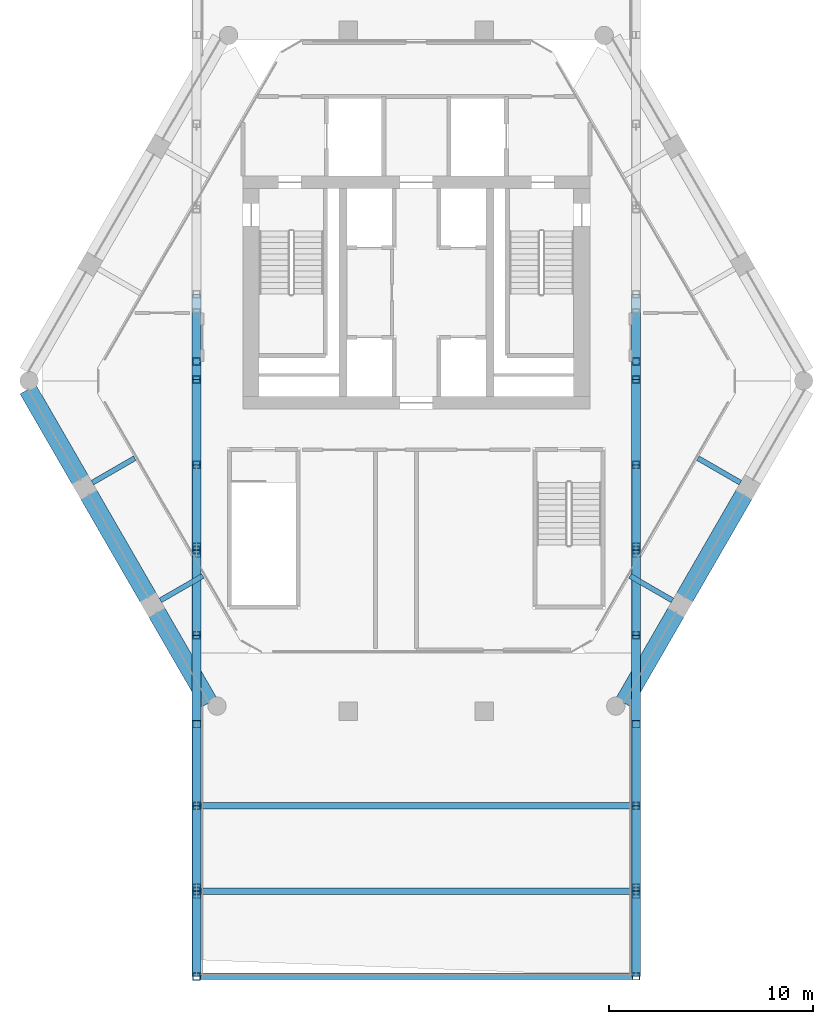
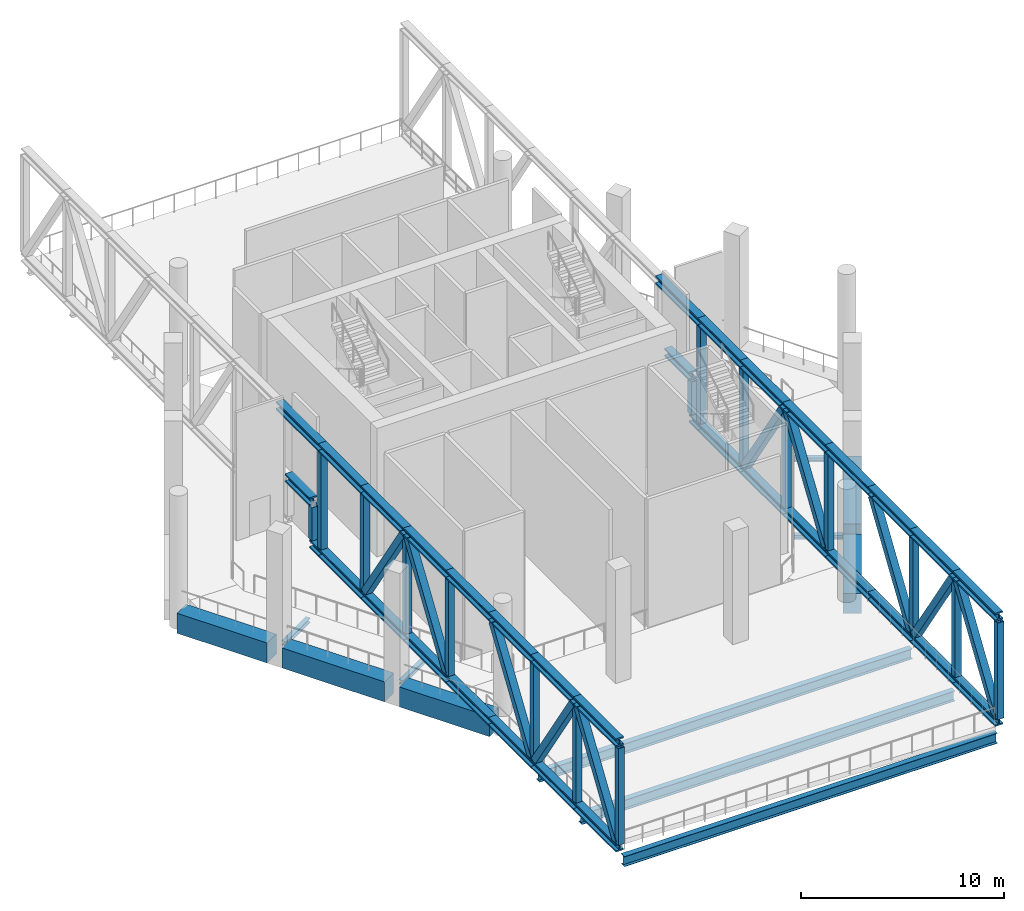
# One storey, part 2 of 14: 60 members, 12 beams.
"""IFC4 building model written with IfcOpenShell, lengths in metres."""

from ifc_helpers import new_model, si_unit, direction, frame, origin, origin_2d, place, context, subcontext, project, spatial, rectangle, hollow_rectangle, i_section, extrude, material, material_profile, profile_set, type_object, element, save


model = new_model("IFC4")

# Units and contexts
model_context = context("Model", 3, precision=1e-05, world=origin(), true_north=direction((0.0, 1.0)))
body_context = subcontext(model_context, "Body", "Model", "MODEL_VIEW")
ifc_project = project(units=[si_unit("LENGTHUNIT", "METRE"), si_unit("AREAUNIT", "SQUARE_METRE"), si_unit("VOLUMEUNIT", "CUBIC_METRE"), si_unit("PLANEANGLEUNIT", "RADIAN"), si_unit("MASSUNIT", "GRAM", prefix="KILO")], contexts=[model_context])

# Site, building, storey
site_placement = place(None, origin())
site = spatial("IfcSite", under=ifc_project, at=site_placement, CompositionType="ELEMENT")
building_placement = place(site_placement, origin())
building = spatial("IfcBuilding", under=site, at=building_placement, Name="Ostrander Bayou Hotel Tower", CompositionType="ELEMENT")
storey_placement = place(building_placement, frame((0.0, 0.0, 237.0)))
storey = spatial("IfcBuildingStorey", under=building, at=storey_placement, Name="L59", CompositionType="ELEMENT", Elevation=237.0)

# Beams
ifc_material_1 = material(Name="Steel ASTM A992", Category="steel")
ifc_material_profile_1 = material_profile(ifc_material_1, i_section(OverallWidth=0.25390625, OverallDepth=0.25341796875, WebThickness=0.008544921875, FlangeThickness=0.01416015625, at=origin_2d()))
ifc_profile_set_1 = profile_set([ifc_material_profile_1], Name="Steel ASTM A992")
beam_type_1 = type_object("IfcBeamType", Name="LB2 loggia bracket W10x49", PredefinedType="BEAM", material=ifc_profile_set_1)
for number, where, z_axis, x_axis, name in (
    (1, (-15.867431640625, -5.316650390625, -0.4267578125), (0.866024647952, 0.500001309137, 0.0), (-0.500001309137, 0.866024647952, 0.0), "LB2 L59 SW1"),
    (2, (-12.5380859375, -11.083251953125, -0.4267578125), (0.866024647952, 0.500001309137, 0.0), (-0.500001309137, 0.866024647952, 0.0), "LB2 L59 SW2"),
    (3, (12.5380859375, -11.083251953125, -0.4267578125), (-0.866024647952, 0.500001309137, 0.0), (-0.500001309137, -0.866024647952, 0.0), "LB2 L59 SE1"),
    (4, (15.867431640625, -5.316650390625, -0.4267578125), (-0.866024647952, 0.500001309137, 0.0), (-0.500001309137, -0.866024647952, 0.0), "LB2 L59 SE2"),
):
    element("IfcBeam", number, at=place(storey_placement, frame(where, z_axis=z_axis, x_axis=x_axis)), inside=storey, type_object=beam_type_1, Name=name, PredefinedType="BEAM", context=body_context, shape_type="SweptSolid", body=[
        extrude(i_section(OverallWidth=0.25390625, OverallDepth=0.25341796875, WebThickness=0.008544921875, FlangeThickness=0.01416015625, at=origin_2d()), origin(), (0.0, 0.0, 1.0), 2.39990234375),
    ])
ifc_material_2 = material(Name="Concrete f'c 60 MPa", Category="concrete")
ifc_material_profile_2 = material_profile(ifc_material_2, rectangle(XDim=0.89990234375, YDim=1.199951171875, at=origin_2d()))
ifc_profile_set_2 = profile_set([ifc_material_profile_2], Name="Concrete f'c 60 MPa")
beam_type_2 = type_object("IfcBeamType", Name="SP4 spandrel beam 900 x 1200 mm f'c 60 MPa", PredefinedType="SPANDREL", material=ifc_profile_set_2)
beam_1_placement = place(storey_placement, frame((-19.024169921875, -0.749267578125, -0.60009765625), z_axis=(0.499995206172, -0.866028171485, 0.0), x_axis=(0.866028171485, 0.499995206172, 0.0)))
element("IfcBeam", 5, at=beam_1_placement, inside=storey, type_object=beam_type_2, Name="SP4 L59 SW-1", PredefinedType="SPANDREL", context=body_context, shape_type="SweptSolid", body=[
    extrude(rectangle(XDim=0.89990234375, YDim=1.199951171875, at=origin_2d()), origin(), (0.0, 0.0, 1.0), 5.11376953125),
])
beam_2_placement = place(storey_placement, frame((-16.047119140625, -5.905517578125, -0.60009765625), z_axis=(0.500015433515, -0.866016493057, 0.0), x_axis=(0.866016493057, 0.500015433515, 0.0)))
element("IfcBeam", 6, at=beam_2_placement, inside=storey, type_object=beam_type_2, Name="SP4 L59 SW-2", PredefinedType="SPANDREL", context=body_context, shape_type="SweptSolid", body=[
    extrude(rectangle(XDim=0.89990234375, YDim=1.199951171875, at=origin_2d()), origin(), (0.0, 0.0, 1.0), 5.818603515625),
])
for number, where, z_axis, x_axis, name in (
    (7, (-12.7177734375, -11.672119140625, -0.60009765625), (0.500015879365, -0.866016235635, 0.0), (0.866016235635, 0.500015879365, 0.0), "SP4 L59 SW-3"),
    (8, (10.160888671875, -16.1005859375, -0.60009765625), (0.500015879365, 0.866016235635, 0.0), (-0.866016235635, 0.500015879365, 0.0), "SP4 L59 SE-1"),
):
    element("IfcBeam", number, at=place(storey_placement, frame(where, z_axis=z_axis, x_axis=x_axis)), inside=storey, type_object=beam_type_2, Name=name, PredefinedType="SPANDREL", context=body_context, shape_type="SweptSolid", body=[
        extrude(rectangle(XDim=0.89990234375, YDim=1.199951171875, at=origin_2d()), origin(), (0.0, 0.0, 1.0), 5.113525390625),
    ])
beam_3_placement = place(storey_placement, frame((13.1376953125, -10.944580078125, -0.60009765625), z_axis=(0.500015433515, 0.866016493057, 0.0), x_axis=(-0.866016493057, 0.500015433515, 0.0)))
element("IfcBeam", 9, at=beam_3_placement, inside=storey, type_object=beam_type_2, Name="SP4 L59 SE-2", PredefinedType="SPANDREL", context=body_context, shape_type="SweptSolid", body=[
    extrude(rectangle(XDim=0.89990234375, YDim=1.199951171875, at=origin_2d()), origin(), (0.0, 0.0, 1.0), 5.818603515625),
])
ifc_material_3 = material(Name="Steel ASTM A992", Category="steel")
ifc_material_profile_3 = material_profile(ifc_material_3, i_section(OverallWidth=0.32373046875, OverallDepth=0.611083984375, WebThickness=0.0126953125, FlangeThickness=0.01904296875, at=origin_2d()))
ifc_profile_set_3 = profile_set([ifc_material_profile_3], Name="Steel ASTM A992")
beam_type_3 = type_object("IfcBeamType", Name="TF2 bar floor beam W24x104", PredefinedType="BEAM", material=ifc_profile_set_3)
for number, where, z_axis, x_axis, name in (
    (10, (-10.587158203125, -21.147705078125, -0.605712890625), (1.0, 0.0, 0.0), (0.0, 1.0, 0.0), "TF2 SB5S L5-1"),
    (11, (-10.587158203125, -25.32373046875, -0.605712890625), (1.0, 0.0, 0.0), (0.0, 1.0, 0.0), "TF2 SB5S L5-2"),
    (12, (-10.587158203125, -29.5, -0.605712890625), (1.0, 0.0, 0.0), (0.0, 1.0, 0.0), "TF2 SB5S L5-3"),
):
    element("IfcBeam", number, at=place(storey_placement, frame(where, z_axis=z_axis, x_axis=x_axis)), inside=storey, type_object=beam_type_3, Name=name, PredefinedType="BEAM", context=body_context, shape_type="SweptSolid", body=[
        extrude(i_section(OverallWidth=0.32373046875, OverallDepth=0.611083984375, WebThickness=0.0126953125, FlangeThickness=0.01904296875, at=origin_2d()), origin(), (0.0, 0.0, 1.0), 21.17431640625),
    ])

# Members
ifc_material_4 = material(Name="Steel ASTM A992", Category="steel")
ifc_material_profile_4 = material_profile(ifc_material_4, i_section(OverallWidth=0.43212890625, OverallDepth=0.497802734375, WebThickness=0.0556640625, FlangeThickness=0.0888671875, at=origin_2d()))
ifc_profile_set_4 = profile_set([ifc_material_profile_4], Name="Steel ASTM A992")
member_type_1 = type_object("IfcMemberType", Name="TT1 through-truss chord W14x500", PredefinedType="CHORD", material=ifc_profile_set_4)
member_1_placement = place(storey_placement, frame((-10.764892578125, 3.021484375, 2.748779296875), z_axis=(0.0, -1.0, 0.0), x_axis=(1.0, 0.0, 0.0)))
element("IfcMember", 13, at=member_1_placement, inside=storey, type_object=member_type_1, Name="TT1 SB5A B7 (over the passage)", PredefinedType="CHORD", context=body_context, shape_type="SweptSolid", body=[
    extrude(i_section(OverallWidth=0.43212890625, OverallDepth=0.497802734375, WebThickness=0.0556640625, FlangeThickness=0.0888671875, at=origin_2d()), origin(), (0.0, 0.0, 1.0), 2.400146484375),
])
member_2_placement = place(storey_placement, frame((-10.764892578125, 0.621337890625, 0.248779296875), z_axis=(0.0, -1.0, 0.0), x_axis=(1.0, 0.0, 0.0)))
element("IfcMember", 14, at=member_2_placement, inside=storey, type_object=member_type_1, Name="TT1 SB5A B7", PredefinedType="CHORD", context=body_context, shape_type="SweptSolid", body=[
    extrude(i_section(OverallWidth=0.43212890625, OverallDepth=0.497802734375, WebThickness=0.0556640625, FlangeThickness=0.0888671875, at=origin_2d()), origin(), (0.0, 0.0, 1.0), 0.887939453125),
])
member_3_placement = place(storey_placement, frame((-10.764892578125, 3.909423828125, 6.551025390625), z_axis=(0.0, -1.0, 0.0), x_axis=(1.0, 0.0, 0.0)))
element("IfcMember", 15, at=member_3_placement, inside=storey, type_object=member_type_1, Name="TT1 SB5A T7", PredefinedType="CHORD", context=body_context, shape_type="SweptSolid", body=[
    extrude(i_section(OverallWidth=0.43212890625, OverallDepth=0.497802734375, WebThickness=0.0556640625, FlangeThickness=0.0888671875, at=origin_2d()), origin(), (0.0, 0.0, 1.0), 4.176025390625),
])
for number, where, z_axis, x_axis, name in (
    (16, (-10.764892578125, -0.2666015625, 0.248779296875), (0.0, -1.0, 0.0), (1.0, 0.0, 0.0), "TT1 SB5A B8"),
    (17, (-10.764892578125, -0.2666015625, 6.551025390625), (0.0, -1.0, 0.0), (1.0, 0.0, 0.0), "TT1 SB5A T8"),
    (18, (-10.764892578125, -4.44287109375, 0.248779296875), (0.0, -1.0, 0.0), (1.0, 0.0, 0.0), "TT1 SB5A B9"),
    (19, (-10.764892578125, -4.44287109375, 6.551025390625), (0.0, -1.0, 0.0), (1.0, 0.0, 0.0), "TT1 SB5A T9"),
    (20, (-10.764892578125, -8.619140625, 0.248779296875), (0.0, -1.0, 0.0), (1.0, 0.0, 0.0), "TT1 SB5A B10"),
    (21, (-10.764892578125, -8.619140625, 6.551025390625), (0.0, -1.0, 0.0), (1.0, 0.0, 0.0), "TT1 SB5A T10"),
):
    element("IfcMember", number, at=place(storey_placement, frame(where, z_axis=z_axis, x_axis=x_axis)), inside=storey, type_object=member_type_1, Name=name, PredefinedType="CHORD", context=body_context, shape_type="SweptSolid", body=[
        extrude(i_section(OverallWidth=0.43212890625, OverallDepth=0.497802734375, WebThickness=0.0556640625, FlangeThickness=0.0888671875, at=origin_2d()), origin(), (0.0, 0.0, 1.0), 4.17626953125),
    ])
for number, where, z_axis, x_axis, name in (
    (22, (-10.764892578125, -12.79541015625, 0.248779296875), (0.0, -1.0, 0.0), (1.0, 0.0, 0.0), "TT1 SB5A B11"),
    (23, (-10.764892578125, -12.79541015625, 6.551025390625), (0.0, -1.0, 0.0), (1.0, 0.0, 0.0), "TT1 SB5A T11"),
):
    element("IfcMember", number, at=place(storey_placement, frame(where, z_axis=z_axis, x_axis=x_axis)), inside=storey, type_object=member_type_1, Name=name, PredefinedType="CHORD", context=body_context, shape_type="SweptSolid", body=[
        extrude(i_section(OverallWidth=0.43212890625, OverallDepth=0.497802734375, WebThickness=0.0556640625, FlangeThickness=0.0888671875, at=origin_2d()), origin(), (0.0, 0.0, 1.0), 4.176025390625),
    ])
for number, where, z_axis, x_axis, name in (
    (24, (-10.764892578125, -16.971435546875, 0.248779296875), (0.0, -1.0, 0.0), (1.0, 0.0, 0.0), "TT1 SB5A B12"),
    (25, (-10.764892578125, -16.971435546875, 6.551025390625), (0.0, -1.0, 0.0), (1.0, 0.0, 0.0), "TT1 SB5A T12"),
):
    element("IfcMember", number, at=place(storey_placement, frame(where, z_axis=z_axis, x_axis=x_axis)), inside=storey, type_object=member_type_1, Name=name, PredefinedType="CHORD", context=body_context, shape_type="SweptSolid", body=[
        extrude(i_section(OverallWidth=0.43212890625, OverallDepth=0.497802734375, WebThickness=0.0556640625, FlangeThickness=0.0888671875, at=origin_2d()), origin(), (0.0, 0.0, 1.0), 4.17626953125),
    ])
for number, where, z_axis, x_axis, name in (
    (26, (-10.764892578125, -21.147705078125, 0.248779296875), (0.0, -1.0, 0.0), (1.0, 0.0, 0.0), "TT1 SB5A B13"),
    (27, (-10.764892578125, -21.147705078125, 6.551025390625), (0.0, -1.0, 0.0), (1.0, 0.0, 0.0), "TT1 SB5A T13"),
):
    element("IfcMember", number, at=place(storey_placement, frame(where, z_axis=z_axis, x_axis=x_axis)), inside=storey, type_object=member_type_1, Name=name, PredefinedType="CHORD", context=body_context, shape_type="SweptSolid", body=[
        extrude(i_section(OverallWidth=0.43212890625, OverallDepth=0.497802734375, WebThickness=0.0556640625, FlangeThickness=0.0888671875, at=origin_2d()), origin(), (0.0, 0.0, 1.0), 4.176025390625),
    ])
for number, where, z_axis, x_axis, name in (
    (28, (-10.764892578125, -25.32373046875, 0.248779296875), (0.0, -1.0, 0.0), (1.0, 0.0, 0.0), "TT1 SB5A B14"),
    (29, (-10.764892578125, -25.32373046875, 6.551025390625), (0.0, -1.0, 0.0), (1.0, 0.0, 0.0), "TT1 SB5A T14"),
):
    element("IfcMember", number, at=place(storey_placement, frame(where, z_axis=z_axis, x_axis=x_axis)), inside=storey, type_object=member_type_1, Name=name, PredefinedType="CHORD", context=body_context, shape_type="SweptSolid", body=[
        extrude(i_section(OverallWidth=0.43212890625, OverallDepth=0.497802734375, WebThickness=0.0556640625, FlangeThickness=0.0888671875, at=origin_2d()), origin(), (0.0, 0.0, 1.0), 4.17626953125),
    ])
member_4_placement = place(storey_placement, frame((10.764892578125, 3.021484375, 2.748779296875), z_axis=(0.0, -1.0, 0.0), x_axis=(1.0, 0.0, 0.0)))
element("IfcMember", 30, at=member_4_placement, inside=storey, type_object=member_type_1, Name="TT1 SB5B B7 (over the passage)", PredefinedType="CHORD", context=body_context, shape_type="SweptSolid", body=[
    extrude(i_section(OverallWidth=0.43212890625, OverallDepth=0.497802734375, WebThickness=0.0556640625, FlangeThickness=0.0888671875, at=origin_2d()), origin(), (0.0, 0.0, 1.0), 2.400146484375),
])
member_5_placement = place(storey_placement, frame((10.764892578125, 0.621337890625, 0.248779296875), z_axis=(0.0, -1.0, 0.0), x_axis=(1.0, 0.0, 0.0)))
element("IfcMember", 31, at=member_5_placement, inside=storey, type_object=member_type_1, Name="TT1 SB5B B7", PredefinedType="CHORD", context=body_context, shape_type="SweptSolid", body=[
    extrude(i_section(OverallWidth=0.43212890625, OverallDepth=0.497802734375, WebThickness=0.0556640625, FlangeThickness=0.0888671875, at=origin_2d()), origin(), (0.0, 0.0, 1.0), 0.887939453125),
])
member_6_placement = place(storey_placement, frame((10.764892578125, 3.909423828125, 6.551025390625), z_axis=(0.0, -1.0, 0.0), x_axis=(1.0, 0.0, 0.0)))
element("IfcMember", 32, at=member_6_placement, inside=storey, type_object=member_type_1, Name="TT1 SB5B T7", PredefinedType="CHORD", context=body_context, shape_type="SweptSolid", body=[
    extrude(i_section(OverallWidth=0.43212890625, OverallDepth=0.497802734375, WebThickness=0.0556640625, FlangeThickness=0.0888671875, at=origin_2d()), origin(), (0.0, 0.0, 1.0), 4.176025390625),
])
for number, where, z_axis, x_axis, name in (
    (33, (10.764892578125, -0.2666015625, 0.248779296875), (0.0, -1.0, 0.0), (1.0, 0.0, 0.0), "TT1 SB5B B8"),
    (34, (10.764892578125, -0.2666015625, 6.551025390625), (0.0, -1.0, 0.0), (1.0, 0.0, 0.0), "TT1 SB5B T8"),
    (35, (10.764892578125, -4.44287109375, 0.248779296875), (0.0, -1.0, 0.0), (1.0, 0.0, 0.0), "TT1 SB5B B9"),
    (36, (10.764892578125, -4.44287109375, 6.551025390625), (0.0, -1.0, 0.0), (1.0, 0.0, 0.0), "TT1 SB5B T9"),
    (37, (10.764892578125, -8.619140625, 0.248779296875), (0.0, -1.0, 0.0), (1.0, 0.0, 0.0), "TT1 SB5B B10"),
    (38, (10.764892578125, -8.619140625, 6.551025390625), (0.0, -1.0, 0.0), (1.0, 0.0, 0.0), "TT1 SB5B T10"),
):
    element("IfcMember", number, at=place(storey_placement, frame(where, z_axis=z_axis, x_axis=x_axis)), inside=storey, type_object=member_type_1, Name=name, PredefinedType="CHORD", context=body_context, shape_type="SweptSolid", body=[
        extrude(i_section(OverallWidth=0.43212890625, OverallDepth=0.497802734375, WebThickness=0.0556640625, FlangeThickness=0.0888671875, at=origin_2d()), origin(), (0.0, 0.0, 1.0), 4.17626953125),
    ])
for number, where, z_axis, x_axis, name in (
    (39, (10.764892578125, -12.79541015625, 0.248779296875), (0.0, -1.0, 0.0), (1.0, 0.0, 0.0), "TT1 SB5B B11"),
    (40, (10.764892578125, -12.79541015625, 6.551025390625), (0.0, -1.0, 0.0), (1.0, 0.0, 0.0), "TT1 SB5B T11"),
):
    element("IfcMember", number, at=place(storey_placement, frame(where, z_axis=z_axis, x_axis=x_axis)), inside=storey, type_object=member_type_1, Name=name, PredefinedType="CHORD", context=body_context, shape_type="SweptSolid", body=[
        extrude(i_section(OverallWidth=0.43212890625, OverallDepth=0.497802734375, WebThickness=0.0556640625, FlangeThickness=0.0888671875, at=origin_2d()), origin(), (0.0, 0.0, 1.0), 4.176025390625),
    ])
for number, where, z_axis, x_axis, name in (
    (41, (10.764892578125, -16.971435546875, 0.248779296875), (0.0, -1.0, 0.0), (1.0, 0.0, 0.0), "TT1 SB5B B12"),
    (42, (10.764892578125, -16.971435546875, 6.551025390625), (0.0, -1.0, 0.0), (1.0, 0.0, 0.0), "TT1 SB5B T12"),
):
    element("IfcMember", number, at=place(storey_placement, frame(where, z_axis=z_axis, x_axis=x_axis)), inside=storey, type_object=member_type_1, Name=name, PredefinedType="CHORD", context=body_context, shape_type="SweptSolid", body=[
        extrude(i_section(OverallWidth=0.43212890625, OverallDepth=0.497802734375, WebThickness=0.0556640625, FlangeThickness=0.0888671875, at=origin_2d()), origin(), (0.0, 0.0, 1.0), 4.17626953125),
    ])
for number, where, z_axis, x_axis, name in (
    (43, (10.764892578125, -21.147705078125, 0.248779296875), (0.0, -1.0, 0.0), (1.0, 0.0, 0.0), "TT1 SB5B B13"),
    (44, (10.764892578125, -21.147705078125, 6.551025390625), (0.0, -1.0, 0.0), (1.0, 0.0, 0.0), "TT1 SB5B T13"),
):
    element("IfcMember", number, at=place(storey_placement, frame(where, z_axis=z_axis, x_axis=x_axis)), inside=storey, type_object=member_type_1, Name=name, PredefinedType="CHORD", context=body_context, shape_type="SweptSolid", body=[
        extrude(i_section(OverallWidth=0.43212890625, OverallDepth=0.497802734375, WebThickness=0.0556640625, FlangeThickness=0.0888671875, at=origin_2d()), origin(), (0.0, 0.0, 1.0), 4.176025390625),
    ])
for number, where, z_axis, x_axis, name in (
    (45, (10.764892578125, -25.32373046875, 0.248779296875), (0.0, -1.0, 0.0), (1.0, 0.0, 0.0), "TT1 SB5B B14"),
    (46, (10.764892578125, -25.32373046875, 6.551025390625), (0.0, -1.0, 0.0), (1.0, 0.0, 0.0), "TT1 SB5B T14"),
):
    element("IfcMember", number, at=place(storey_placement, frame(where, z_axis=z_axis, x_axis=x_axis)), inside=storey, type_object=member_type_1, Name=name, PredefinedType="CHORD", context=body_context, shape_type="SweptSolid", body=[
        extrude(i_section(OverallWidth=0.43212890625, OverallDepth=0.497802734375, WebThickness=0.0556640625, FlangeThickness=0.0888671875, at=origin_2d()), origin(), (0.0, 0.0, 1.0), 4.17626953125),
    ])
ifc_material_5 = material(Name="Steel ASTM A500 Gr C", Category="steel")
ifc_material_profile_5 = material_profile(ifc_material_5, hollow_rectangle(XDim=0.355712890625, YDim=0.355712890625, WallThickness=0.0146484375, at=origin_2d()))
ifc_profile_set_5 = profile_set([ifc_material_profile_5], Name="Steel ASTM A500 Gr C")
member_type_2 = type_object("IfcMemberType", Name="TT2 through-truss post HSS14x14x5/8", PredefinedType="POST", material=ifc_profile_set_5)
for number, where, z_axis, x_axis, name in (
    (47, (-10.764892578125, -0.2666015625, 0.497802734375), (0.0, 0.0, 1.0), (1.0, 0.0, 0.0), "TT2 SB5A P8"),
    (48, (-10.764892578125, -4.44287109375, 0.497802734375), (0.0, 0.0, 1.0), (1.0, 0.0, 0.0), "TT2 SB5A P9"),
    (49, (-10.764892578125, -8.619140625, 0.497802734375), (0.0, 0.0, 1.0), (1.0, 0.0, 0.0), "TT2 SB5A P10"),
    (50, (-10.764892578125, -12.79541015625, 0.497802734375), (0.0, 0.0, 1.0), (1.0, 0.0, 0.0), "TT2 SB5A P11"),
    (51, (-10.764892578125, -21.147705078125, 0.497802734375), (0.0, 0.0, 1.0), (1.0, 0.0, 0.0), "TT2 SB5A P13"),
    (52, (-10.764892578125, -25.32373046875, 0.497802734375), (0.0, 0.0, 1.0), (1.0, 0.0, 0.0), "TT2 SB5A P14"),
    (53, (-10.764892578125, -29.5, 0.497802734375), (0.0, 0.0, 1.0), (1.0, 0.0, 0.0), "TT2 SB5A P15"),
):
    element("IfcMember", number, at=place(storey_placement, frame(where, z_axis=z_axis, x_axis=x_axis)), inside=storey, type_object=member_type_2, Name=name, PredefinedType="POST", context=body_context, shape_type="SweptSolid", body=[
        extrude(hollow_rectangle(XDim=0.355712890625, YDim=0.355712890625, WallThickness=0.0146484375, at=origin_2d()), origin(), (0.0, 0.0, 1.0), 5.804443359375),
    ])
member_7_placement = place(storey_placement, frame((-10.764892578125, 0.621337890625, 0.497802734375), z_axis=(0.0, 0.0, 1.0), x_axis=(1.0, 0.0, 0.0)))
element("IfcMember", 54, at=member_7_placement, inside=storey, type_object=member_type_2, Name="TT2 SB5A KN7b", PredefinedType="POST", context=body_context, shape_type="SweptSolid", body=[
    extrude(hollow_rectangle(XDim=0.355712890625, YDim=0.355712890625, WallThickness=0.0146484375, at=origin_2d()), origin(), (0.0, 0.0, 1.0), 2.002197265625),
])
for number, where, z_axis, x_axis, name in (
    (55, (10.764892578125, -0.2666015625, 0.497802734375), (0.0, 0.0, 1.0), (1.0, 0.0, 0.0), "TT2 SB5B P8"),
    (56, (10.764892578125, -4.44287109375, 0.497802734375), (0.0, 0.0, 1.0), (1.0, 0.0, 0.0), "TT2 SB5B P9"),
    (57, (10.764892578125, -8.619140625, 0.497802734375), (0.0, 0.0, 1.0), (1.0, 0.0, 0.0), "TT2 SB5B P10"),
    (58, (10.764892578125, -12.79541015625, 0.497802734375), (0.0, 0.0, 1.0), (1.0, 0.0, 0.0), "TT2 SB5B P11"),
    (59, (10.764892578125, -21.147705078125, 0.497802734375), (0.0, 0.0, 1.0), (1.0, 0.0, 0.0), "TT2 SB5B P13"),
    (60, (10.764892578125, -25.32373046875, 0.497802734375), (0.0, 0.0, 1.0), (1.0, 0.0, 0.0), "TT2 SB5B P14"),
    (61, (10.764892578125, -29.5, 0.497802734375), (0.0, 0.0, 1.0), (1.0, 0.0, 0.0), "TT2 SB5B P15"),
):
    element("IfcMember", number, at=place(storey_placement, frame(where, z_axis=z_axis, x_axis=x_axis)), inside=storey, type_object=member_type_2, Name=name, PredefinedType="POST", context=body_context, shape_type="SweptSolid", body=[
        extrude(hollow_rectangle(XDim=0.355712890625, YDim=0.355712890625, WallThickness=0.0146484375, at=origin_2d()), origin(), (0.0, 0.0, 1.0), 5.804443359375),
    ])
member_8_placement = place(storey_placement, frame((10.764892578125, 0.621337890625, 0.497802734375), z_axis=(0.0, 0.0, 1.0), x_axis=(1.0, 0.0, 0.0)))
element("IfcMember", 62, at=member_8_placement, inside=storey, type_object=member_type_2, Name="TT2 SB5B KN7b", PredefinedType="POST", context=body_context, shape_type="SweptSolid", body=[
    extrude(hollow_rectangle(XDim=0.355712890625, YDim=0.355712890625, WallThickness=0.0146484375, at=origin_2d()), origin(), (0.0, 0.0, 1.0), 2.002197265625),
])
ifc_material_6 = material(Name="Steel ASTM A572 Gr 50", Category="steel")
ifc_material_profile_6 = material_profile(ifc_material_6, hollow_rectangle(XDim=0.406494140625, YDim=0.406494140625, WallThickness=0.017822265625, at=origin_2d()))
ifc_profile_set_6 = profile_set([ifc_material_profile_6], Name="Steel ASTM A572 Gr 50")
member_type_3 = type_object("IfcMemberType", Name="TT3 through-truss diagonal box 16 x 16 x 3/4", PredefinedType="BRACE", material=ifc_profile_set_6)
member_9_placement = place(storey_placement, frame((-10.764892578125, -4.62060546875, 0.497802734375), z_axis=(0.0, -0.549826193392, 0.835279089323), x_axis=(1.0, 0.0, 0.0)))
element("IfcMember", 63, at=member_9_placement, inside=storey, type_object=member_type_3, Name="TT3 SB5A D9", PredefinedType="BRACE", context=body_context, shape_type="SweptSolid", body=[
    extrude(hollow_rectangle(XDim=0.406494140625, YDim=0.406494140625, WallThickness=0.017822265625, at=origin_2d()), origin(), (0.0, 0.0, 1.0), 6.94921875),
])
for number, where, z_axis, x_axis, name in (
    (64, (-10.764892578125, -12.617431640625, 0.497802734375), (0.0, 0.549801680933, 0.835295224243), (-1.0, 0.0, 0.0), "TT3 SB5A D10"),
    (65, (-10.764892578125, -20.9697265625, 0.497802734375), (0.0, 0.549801680933, 0.835295224243), (-1.0, 0.0, 0.0), "TT3 SB5A D12"),
    (66, (-10.764892578125, -21.325439453125, 0.497802734375), (0.0, -0.549801680933, 0.835295224243), (1.0, 0.0, 0.0), "TT3 SB5A D13"),
    (67, (-10.764892578125, -29.322265625, 0.497802734375), (0.0, 0.549801680933, 0.835295224243), (-1.0, 0.0, 0.0), "TT3 SB5A D14"),
):
    element("IfcMember", number, at=place(storey_placement, frame(where, z_axis=z_axis, x_axis=x_axis)), inside=storey, type_object=member_type_3, Name=name, PredefinedType="BRACE", context=body_context, shape_type="SweptSolid", body=[
        extrude(hollow_rectangle(XDim=0.406494140625, YDim=0.406494140625, WallThickness=0.017822265625, at=origin_2d()), origin(), (0.0, 0.0, 1.0), 6.948974609375),
    ])
member_10_placement = place(storey_placement, frame((10.764892578125, -4.62060546875, 0.497802734375), z_axis=(0.0, -0.549826193392, 0.835279089323), x_axis=(1.0, 0.0, 0.0)))
element("IfcMember", 68, at=member_10_placement, inside=storey, type_object=member_type_3, Name="TT3 SB5B D9", PredefinedType="BRACE", context=body_context, shape_type="SweptSolid", body=[
    extrude(hollow_rectangle(XDim=0.406494140625, YDim=0.406494140625, WallThickness=0.017822265625, at=origin_2d()), origin(), (0.0, 0.0, 1.0), 6.94921875),
])
for number, where, z_axis, x_axis, name in (
    (69, (10.764892578125, -12.617431640625, 0.497802734375), (0.0, 0.549801680933, 0.835295224243), (-1.0, 0.0, 0.0), "TT3 SB5B D10"),
    (70, (10.764892578125, -20.9697265625, 0.497802734375), (0.0, 0.549801680933, 0.835295224243), (-1.0, 0.0, 0.0), "TT3 SB5B D12"),
    (71, (10.764892578125, -21.325439453125, 0.497802734375), (0.0, -0.549801680933, 0.835295224243), (1.0, 0.0, 0.0), "TT3 SB5B D13"),
    (72, (10.764892578125, -29.322265625, 0.497802734375), (0.0, 0.549801680933, 0.835295224243), (-1.0, 0.0, 0.0), "TT3 SB5B D14"),
):
    element("IfcMember", number, at=place(storey_placement, frame(where, z_axis=z_axis, x_axis=x_axis)), inside=storey, type_object=member_type_3, Name=name, PredefinedType="BRACE", context=body_context, shape_type="SweptSolid", body=[
        extrude(hollow_rectangle(XDim=0.406494140625, YDim=0.406494140625, WallThickness=0.017822265625, at=origin_2d()), origin(), (0.0, 0.0, 1.0), 6.948974609375),
    ])

save(model, "model.ifc")
